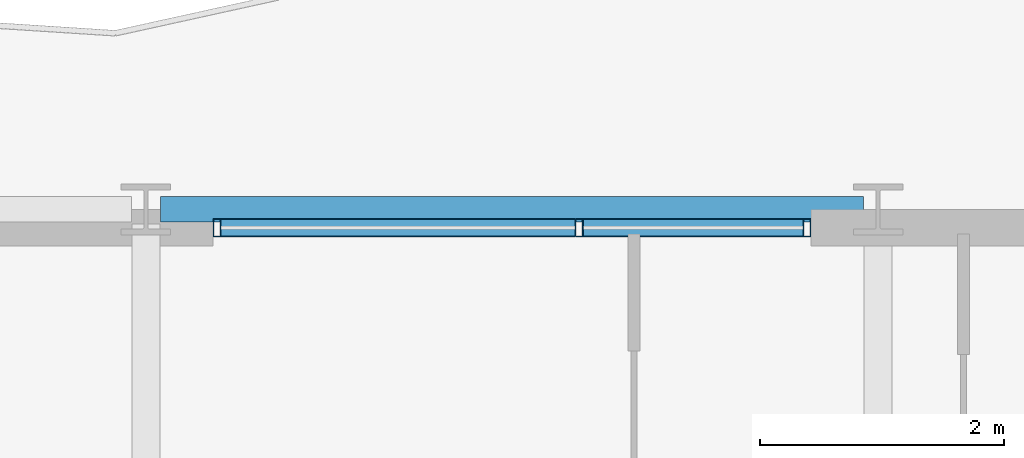
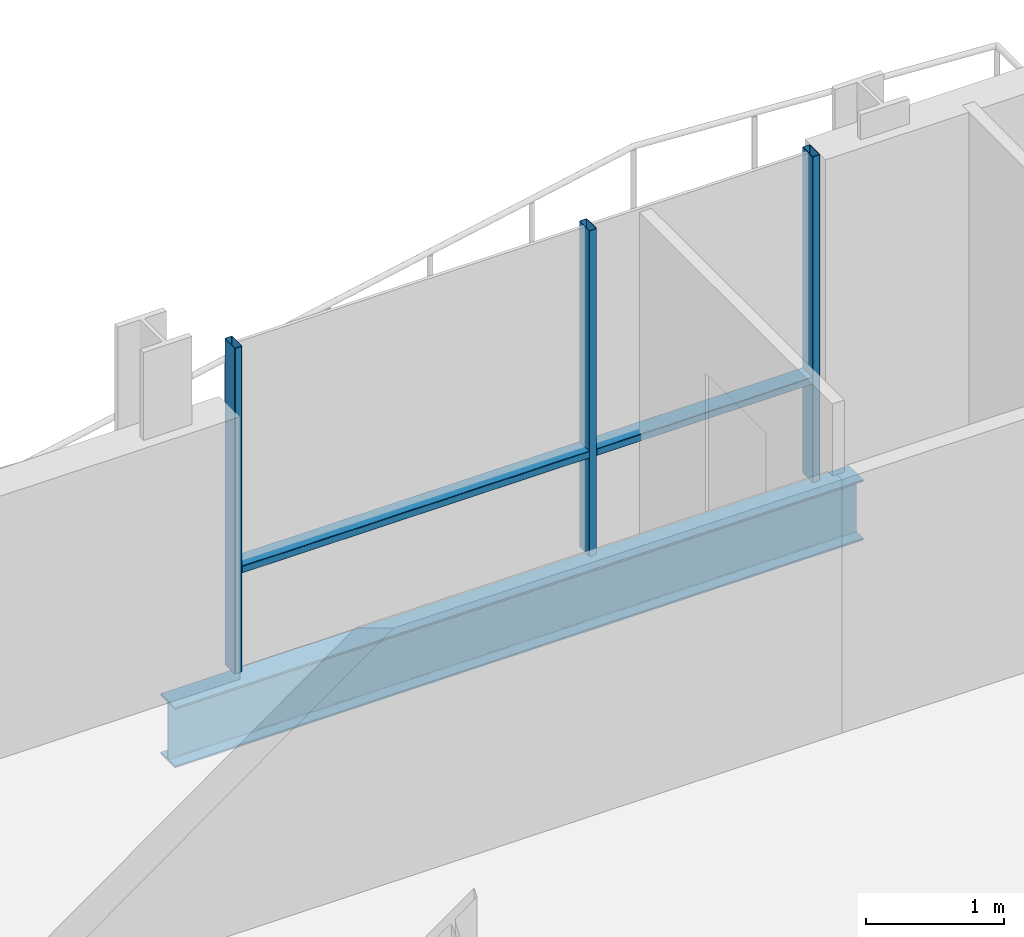
# One storey, part 26 of 41: 5 members, 1 beam, 1 element without a shape of its own.
"""IFC4 building model written with IfcOpenShell, lengths in metres."""

from ifc_helpers import new_model, si_unit, direction, frame, origin, origin_2d, place, context, subcontext, project, spatial, hollow_rectangle, i_section, extrude, material, layer, layer_set, material_profile, profile_set, type_object, element, aggregate, save


model = new_model("IFC4")

# Units and contexts
model_context = context("Model", 3, precision=1e-05, world=origin(), true_north=direction((0.0, 1.0)))
body_context = subcontext(model_context, "Body", "Model", "MODEL_VIEW")
ifc_project = project(units=[si_unit("LENGTHUNIT", "METRE"), si_unit("AREAUNIT", "SQUARE_METRE"), si_unit("VOLUMEUNIT", "CUBIC_METRE"), si_unit("PLANEANGLEUNIT", "RADIAN"), si_unit("MASSUNIT", "GRAM", prefix="KILO")], contexts=[model_context])

# Site, building, storey
site_placement = place(None, origin())
site = spatial("IfcSite", under=ifc_project, at=site_placement, CompositionType="ELEMENT")
building_placement = place(site_placement, origin())
building = spatial("IfcBuilding", under=site, at=building_placement, Name="Brevholm Reach", CompositionType="ELEMENT")
storey_placement = place(building_placement, frame((0.0, 0.0, 151.10009765625)))
storey = spatial("IfcBuildingStorey", under=building, at=storey_placement, Name="L45", CompositionType="ELEMENT", Elevation=151.10009765625)

# Beam
ifc_material_1 = material(Name="Structural Steel S355J2", Category="steel")
ifc_material_profile_1 = material_profile(ifc_material_1, i_section(OverallWidth=0.209228515625, OverallDepth=0.533203125, WebThickness=0.010009765625, FlangeThickness=0.015625, FilletRadius=0.0126953125, at=origin_2d()), Name="UKB 533x210x92")
ifc_profile_set_1 = profile_set([ifc_material_profile_1], Name="Structural Steel S355J2")
beam_type = type_object("IfcBeamType", Name="BM-SP533", PredefinedType="SPANDREL", material=ifc_profile_set_1)
beam_placement = place(storey_placement, frame((48.1201171875, 31.0, -0.486572265625), z_axis=(1.0, 0.0, 0.0), x_axis=(0.0, 1.0, 0.0)))
element("IfcBeam", 1, at=beam_placement, inside=storey, type_object=beam_type, Name="L45 SP-02 Framing Beam", PredefinedType="SPANDREL", context=body_context, shape_type="SweptSolid", body=[
    extrude(i_section(OverallWidth=0.209228515625, OverallDepth=0.533203125, WebThickness=0.010009765625, FlangeThickness=0.015625, FilletRadius=0.0126953125, at=origin_2d()), origin(), (0.0, 0.0, 1.0), 5.759765625),
])

# Curtain wall, members
ifc_material_2 = material(Name="Dark Anodised Aluminium 6063-T6 and Solar-Control Glass", Category="aluminium")
ifc_layer = layer(ifc_material_2, 0.14990234375)
ifc_layer_set = layer_set([ifc_layer], Name="Dark Anodised Aluminium 6063-T6 and Solar-Control Glass")
curtain_wall_type = type_object("IfcCurtainWallType", Name="CW-01", PredefinedType="NOTDEFINED", material=ifc_layer_set)
curtain_wall_placement = place(storey_placement, origin())
curtain_wall = element("IfcCurtainWall", 2, at=curtain_wall_placement, inside=storey, type_object=curtain_wall_type, Name="L45 Curtain Wall CW-01", PredefinedType="NOTDEFINED")
ifc_material_3 = material(Name="Dark Anodised Aluminium 6063-T6", Category="aluminium")
ifc_material_profile_2 = material_profile(ifc_material_3, hollow_rectangle(XDim=0.06494140625, YDim=0.14990234375, WallThickness=0.0048828125, InnerFilletRadius=0.0048828125, OuterFilletRadius=0.010009765625, at=origin_2d()), Name="RHS 150x65x5")
ifc_profile_set_2 = profile_set([ifc_material_profile_2], Name="Dark Anodised Aluminium 6063-T6")
member_type_1 = type_object("IfcMemberType", Name="CWM-150", PredefinedType="MULLION", material=ifc_profile_set_2)
member_1_placement = place(storey_placement, frame((48.58251953125, 30.85009765625, 0.0), z_axis=(0.0, 0.0, 1.0), x_axis=(1.0, 0.0, 0.0)))
member_1 = element("IfcMember", 3, at=member_1_placement, type_object=member_type_1, Name="CM-150 Mullion 1", PredefinedType="MULLION", context=body_context, shape_type="SweptSolid", body=[
    extrude(hollow_rectangle(XDim=0.06494140625, YDim=0.14990234375, WallThickness=0.0048828125, InnerFilletRadius=0.0048828125, OuterFilletRadius=0.010009765625, at=origin_2d()), origin(), (0.0, 0.0, 1.0), 2.8798828125),
])
member_2_placement = place(storey_placement, frame((51.550048828125, 30.85009765625, 0.0), z_axis=(0.0, 0.0, 1.0), x_axis=(1.0, 0.0, 0.0)))
member_2 = element("IfcMember", 4, at=member_2_placement, type_object=member_type_1, Name="CM-150 Mullion 2", PredefinedType="MULLION", context=body_context, shape_type="SweptSolid", body=[
    extrude(hollow_rectangle(XDim=0.06494140625, YDim=0.14990234375, WallThickness=0.0048828125, InnerFilletRadius=0.0048828125, OuterFilletRadius=0.010009765625, at=origin_2d()), origin(), (0.0, 0.0, 1.0), 2.8798828125),
])
member_3_placement = place(storey_placement, frame((53.41748046875, 30.85009765625, 0.0), z_axis=(0.0, 0.0, 1.0), x_axis=(1.0, 0.0, 0.0)))
member_3 = element("IfcMember", 5, at=member_3_placement, type_object=member_type_1, Name="CM-150 Mullion 3", PredefinedType="MULLION", context=body_context, shape_type="SweptSolid", body=[
    extrude(hollow_rectangle(XDim=0.06494140625, YDim=0.14990234375, WallThickness=0.0048828125, InnerFilletRadius=0.0048828125, OuterFilletRadius=0.010009765625, at=origin_2d()), origin(), (0.0, 0.0, 1.0), 2.8798828125),
])
ifc_material_4 = material(Name="Dark Anodised Aluminium 6063-T6", Category="aluminium")
ifc_material_profile_3 = material_profile(ifc_material_4, hollow_rectangle(XDim=0.06494140625, YDim=0.14990234375, WallThickness=0.0048828125, InnerFilletRadius=0.0048828125, OuterFilletRadius=0.010009765625, at=origin_2d()), Name="RHS 150x65x5")
ifc_profile_set_3 = profile_set([ifc_material_profile_3], Name="Dark Anodised Aluminium 6063-T6")
member_type_2 = type_object("IfcMemberType", Name="CWT-150", PredefinedType="NOTDEFINED", material=ifc_profile_set_3)
member_4_placement = place(storey_placement, frame((48.614990234375, 30.85009765625, 0.89990234375), z_axis=(1.0, 0.0, 0.0), x_axis=(0.0, 0.0, 1.0)))
member_4 = element("IfcMember", 6, at=member_4_placement, type_object=member_type_2, Name="CT-150 Transom 1.1", ObjectType="TRANSOM", PredefinedType="USERDEFINED", context=body_context, shape_type="SweptSolid", body=[
    extrude(hollow_rectangle(XDim=0.06494140625, YDim=0.14990234375, WallThickness=0.0048828125, InnerFilletRadius=0.0048828125, OuterFilletRadius=0.010009765625, at=origin_2d()), origin(), (0.0, 0.0, 1.0), 2.902587890625),
])
member_5_placement = place(storey_placement, frame((51.58251953125, 30.85009765625, 0.89990234375), z_axis=(1.0, 0.0, 0.0), x_axis=(0.0, 0.0, 1.0)))
member_5 = element("IfcMember", 7, at=member_5_placement, type_object=member_type_2, Name="CT-150 Transom 2.1", ObjectType="TRANSOM", PredefinedType="USERDEFINED", context=body_context, shape_type="SweptSolid", body=[
    extrude(hollow_rectangle(XDim=0.06494140625, YDim=0.14990234375, WallThickness=0.0048828125, InnerFilletRadius=0.0048828125, OuterFilletRadius=0.010009765625, at=origin_2d()), origin(), (0.0, 0.0, 1.0), 1.802490234375),
])
aggregate(curtain_wall, [member_1, member_2, member_3, member_4, member_5])

save(model, "model.ifc")
